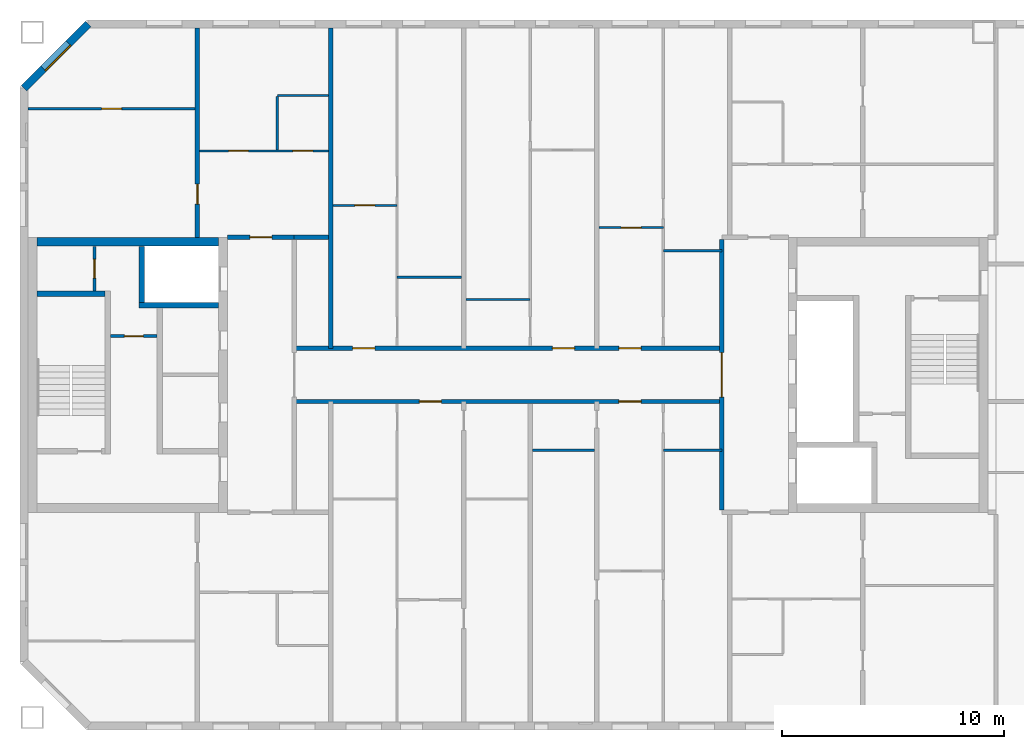
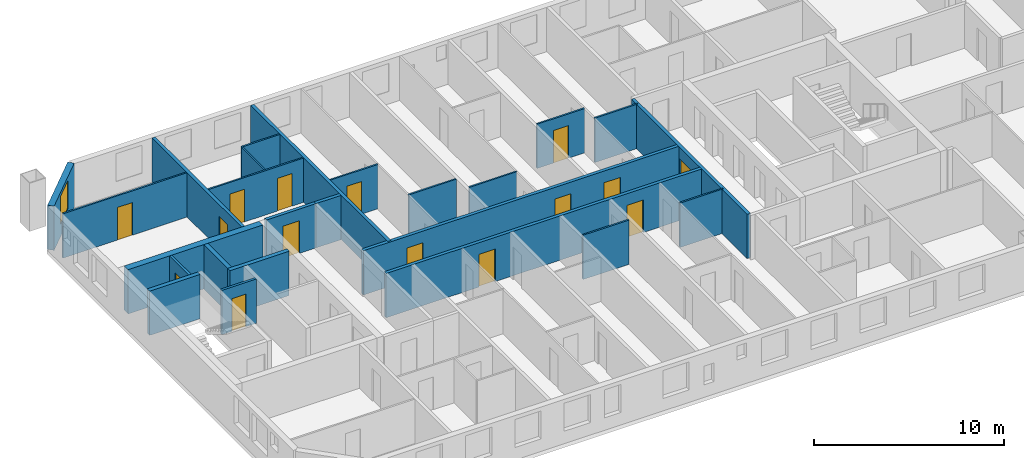
# One storey, part 6 of 19: 25 walls, 15 doors, 1 window, 16 openings.
"""IFC4 building model written with IfcOpenShell, lengths in metres."""

from ifc_helpers import new_model, si_unit, direction, frame, frame_2d, origin, place, context, subcontext, project, spatial, rectangle, extrude, material, layer, layer_set, type_object, element, fill, save


model = new_model("IFC4")

# Units and contexts
model_context = context("Model", 3, precision=1e-05, world=origin(), true_north=direction((0.0, 1.0)))
body_context = subcontext(model_context, "Body", "Model", "MODEL_VIEW")
ifc_project = project(units=[si_unit("LENGTHUNIT", "METRE"), si_unit("AREAUNIT", "SQUARE_METRE"), si_unit("VOLUMEUNIT", "CUBIC_METRE"), si_unit("PLANEANGLEUNIT", "RADIAN"), si_unit("MASSUNIT", "GRAM", prefix="KILO")], contexts=[model_context])

# Site, building, storey
site_placement = place(None, origin())
site = spatial("IfcSite", under=ifc_project, at=site_placement, CompositionType="ELEMENT")
building_placement = place(site_placement, origin())
building = spatial("IfcBuilding", under=site, at=building_placement, Name="Tuart Gate Housing", CompositionType="ELEMENT")
storey_placement = place(building_placement, frame((0.0, 0.0, 230.699951171875)))
storey = spatial("IfcBuildingStorey", under=building, at=storey_placement, Name="L65", CompositionType="ELEMENT", Elevation=230.699951171875)

# Wall, opening, window
ifc_material_1 = material(Name="Brick", Category="masonry")
ifc_layer_1 = layer(ifc_material_1, 0.360107421875)
ifc_layer_set_1 = layer_set([ifc_layer_1], Name="Brick pier and spandrel wall 360")
wall_type_1 = type_object("IfcWallType", Name="Brick pier and spandrel wall 360", PredefinedType="STANDARD", material=ifc_layer_set_1)
wall_1_placement = place(storey_placement, frame((35.07470703125, 85.820068359375, 0.0), z_axis=(0.0, 0.0, 1.0), x_axis=(-0.707106781187, -0.707106781187, 0.0)))
wall_1 = element("IfcWall", 1, at=wall_1_placement, inside=storey, type_object=wall_type_1, Name="External wall BLK-NW L65", PredefinedType="STANDARD", context=body_context, shape_type="SweptSolid", body=[
    extrude(rectangle(XDim=4.09375, YDim=0.360107421875, at=frame_2d((2.046875, 0.0))), origin(), (0.0, 0.0, 1.0), 2.85009765625),
])
opening_1_placement = place(wall_1_placement, frame((1.2470703125, 0.0, 0.800048828125)))
opening_1 = element("IfcOpeningElement", 2, at=opening_1_placement, cuts=wall_1, Name="Opening W1", PredefinedType="OPENING", context=body_context, shape_type="SweptSolid", body=[
    extrude(rectangle(XDim=1.60009765625, YDim=1.800048828125, at=frame_2d((0.800048828125, 0.89990234375))), frame((0.0, 0.18994140625, 0.0), z_axis=(0.0, -1.0, 0.0), x_axis=(1.0, 0.0, 0.0)), (0.0, 0.0, 1.0), 0.380126953125),
])
ifc_material_2 = material(Name="Aluminium frame with clear glass", Category="aluminium")
window_type = type_object("IfcWindowType", Name="Punched window 1600 x 1800", PartitioningType="SINGLE_PANEL", PredefinedType="WINDOW", material=ifc_material_2)
window_placement = place(opening_1_placement, origin())
window = element("IfcWindow", 3, at=window_placement, inside=storey, type_object=window_type, Name="Window W1", OverallHeight=1.800048828125, OverallWidth=1.60009765625, PartitioningType="SINGLE_PANEL", PredefinedType="WINDOW", context=body_context, shape_type="SweptSolid", body=[
    extrude(rectangle(XDim=1.60009765625, YDim=1.800048828125, at=frame_2d((0.800048828125, 0.89990234375))), frame((0.0, 0.150146484375, 0.0), z_axis=(0.0, -1.0, 0.0), x_axis=(1.0, 0.0, 0.0)), (0.0, 0.0, 1.0), 0.06005859375),
])
fill(opening_1, window)

# Wall, opening, door
ifc_material_3 = material(Name="Plasterboard partition")
ifc_layer_2 = layer(ifc_material_3, 0.14990234375)
ifc_layer_set_2 = layer_set([ifc_layer_2], Name="Core partition 150")
wall_type_2 = type_object("IfcWallType", Name="Core partition 150", PredefinedType="PARTITIONING", material=ifc_layer_set_2)
wall_2_placement = place(storey_placement, frame((38.18505859375, 71.75, 0.0), z_axis=(0.0, 0.0, 1.0), x_axis=(-1.0, 0.0, 0.0)))
wall_2 = element("IfcWall", 4, at=wall_2_placement, inside=storey, type_object=wall_type_2, Name="Core partition AK.3", PredefinedType="PARTITIONING", context=body_context, shape_type="SweptSolid", body=[
    extrude(rectangle(XDim=2.10009765625, YDim=0.14990234375, at=frame_2d((1.050048828125, 0.0))), origin(), (0.0, 0.0, 1.0), 2.85009765625),
])
opening_2_placement = place(wall_2_placement, frame((0.625, 0.0, 0.0)))
opening_2 = element("IfcOpeningElement", 5, at=opening_2_placement, cuts=wall_2, Name="Opening D2464", PredefinedType="OPENING", context=body_context, shape_type="SweptSolid", body=[
    extrude(rectangle(XDim=0.85009765625, YDim=2.10009765625, at=frame_2d((0.425048828125, 1.050048828125))), frame((0.0, 0.0849609375, 0.0), z_axis=(0.0, -1.0, 0.0), x_axis=(1.0, 0.0, 0.0)), (0.0, 0.0, 1.0), 0.169921875),
])
ifc_material_4 = material(Name="Steel fire door", Category="steel")
door_type_1 = type_object("IfcDoorType", Name="Riser door 850 x 2100 RH", OperationType="SINGLE_SWING_RIGHT", PredefinedType="DOOR", material=ifc_material_4)
door_1_placement = place(opening_2_placement, frame((0.85009765625, 0.0, 0.0), z_axis=(0.0, 0.0, 1.0), x_axis=(-1.0, 0.0, 0.0)))
door_1 = element("IfcDoor", 6, at=door_1_placement, inside=storey, type_object=door_type_1, Name="Service room door AK.E1", OperationType="SINGLE_SWING_RIGHT", OverallHeight=2.10009765625, OverallWidth=0.85009765625, PredefinedType="DOOR", context=body_context, shape_type="SweptSolid", body=[
    extrude(rectangle(XDim=0.85009765625, YDim=2.10009765625, at=frame_2d((0.425048828125, 1.050048828125))), frame((0.0, 0.025146484375, 0.0), z_axis=(0.0, -1.0, 0.0), x_axis=(1.0, 0.0, 0.0)), (0.0, 0.0, 1.0), 0.050048828125),
])
fill(opening_2, door_1)

wall_3_placement = place(storey_placement, frame((35.360107421875, 75.800048828125, 0.0), z_axis=(0.0, 0.0, 1.0), x_axis=(0.0, -1.0, 0.0)))
wall_3 = element("IfcWall", 7, at=wall_3_placement, inside=storey, type_object=wall_type_2, Name="Core partition AK.10", PredefinedType="PARTITIONING", context=body_context, shape_type="SweptSolid", body=[
    extrude(rectangle(XDim=2.025146484375, YDim=0.14990234375, at=frame_2d((1.0126953125, 0.0))), origin(), (0.0, 0.0, 1.0), 2.85009765625),
])
opening_3_placement = place(wall_3_placement, frame((0.58740234375, 0.0, 0.0)))
opening_3 = element("IfcOpeningElement", 8, at=opening_3_placement, cuts=wall_3, Name="Opening D2462", PredefinedType="OPENING", context=body_context, shape_type="SweptSolid", body=[
    extrude(rectangle(XDim=0.85009765625, YDim=2.10009765625, at=frame_2d((0.425048828125, 1.050048828125))), frame((0.0, 0.0849609375, 0.0), z_axis=(0.0, -1.0, 0.0), x_axis=(1.0, 0.0, 0.0)), (0.0, 0.0, 1.0), 0.169921875),
])
ifc_material_5 = material(Name="Steel fire door", Category="steel")
door_type_2 = type_object("IfcDoorType", Name="Service door 850 x 2100", OperationType="SINGLE_SWING_LEFT", PredefinedType="DOOR", material=ifc_material_5)
door_2_placement = place(opening_3_placement, origin())
door_2 = element("IfcDoor", 9, at=door_2_placement, inside=storey, type_object=door_type_2, Name="Service room door AK.E2", OperationType="SINGLE_SWING_LEFT", OverallHeight=2.10009765625, OverallWidth=0.85009765625, PredefinedType="DOOR", context=body_context, shape_type="SweptSolid", body=[
    extrude(rectangle(XDim=0.85009765625, YDim=2.10009765625, at=frame_2d((0.425048828125, 1.050048828125))), frame((0.0, 0.02490234375, 0.0), z_axis=(0.0, -1.0, 0.0), x_axis=(1.0, 0.0, 0.0)), (0.0, 0.0, 1.0), 0.050048828125),
])
fill(opening_3, door_2)

# Walls
ifc_material_6 = material(Name="Concrete C40", Category="concrete")
ifc_layer_3 = layer(ifc_material_6, 0.25)
ifc_layer_set_3 = layer_set([ifc_layer_3], Name="Core wall 250 C40")
wall_type_3 = type_object("IfcWallType", Name="Core wall 250 C40", PredefinedType="SHEAR", material=ifc_layer_set_3)
wall_4_placement = place(storey_placement, frame((35.8349609375, 73.64990234375, 0.0), z_axis=(0.0, 0.0, 1.0), x_axis=(-1.0, 0.0, 0.0)))
element("IfcWall", 10, at=wall_4_placement, inside=storey, type_object=wall_type_3, Name="Core wall AK.1", PredefinedType="SHEAR", context=body_context, shape_type="SweptSolid", body=[
    extrude(rectangle(XDim=3.074951171875, YDim=0.25, at=frame_2d((1.53759765625, 0.0))), origin(), (0.0, 0.0, 1.0), 2.85009765625),
])
wall_5_placement = place(storey_placement, frame((40.9599609375, 73.14990234375, 0.0), z_axis=(0.0, 0.0, 1.0), x_axis=(-1.0, 0.0, 0.0)))
element("IfcWall", 11, at=wall_5_placement, inside=storey, type_object=wall_type_3, Name="Core wall AK.2", PredefinedType="SHEAR", context=body_context, shape_type="SweptSolid", body=[
    extrude(rectangle(XDim=3.594970703125, YDim=0.25, at=frame_2d((1.79736328125, 0.0))), origin(), (0.0, 0.0, 1.0), 2.85009765625),
])
wall_6_placement = place(storey_placement, frame((37.489990234375, 75.800048828125, 0.0), z_axis=(0.0, 0.0, 1.0), x_axis=(0.0, -1.0, 0.0)))
element("IfcWall", 12, at=wall_6_placement, inside=storey, type_object=wall_type_3, Name="Core wall AK.8", PredefinedType="SHEAR", context=body_context, shape_type="SweptSolid", body=[
    extrude(rectangle(XDim=2.525146484375, YDim=0.25, at=frame_2d((1.2626953125, 0.0))), origin(), (0.0, 0.0, 1.0), 2.85009765625),
])
ifc_material_7 = material(Name="Concrete C40", Category="concrete")
ifc_layer_4 = layer(ifc_material_7, 0.39990234375)
ifc_layer_set_4 = layer_set([ifc_layer_4], Name="Core wall 400 C40")
wall_type_4 = type_object("IfcWallType", Name="Core wall 400 C40", PredefinedType="SHEAR", material=ifc_layer_set_4)
wall_7_placement = place(storey_placement, frame((40.9599609375, 76.0, 0.0), z_axis=(0.0, 0.0, 1.0), x_axis=(-1.0, 0.0, 0.0)))
element("IfcWall", 13, at=wall_7_placement, inside=storey, type_object=wall_type_4, Name="Core wall AK south", PredefinedType="SHEAR", context=body_context, shape_type="SweptSolid", body=[
    extrude(rectangle(XDim=8.199951171875, YDim=0.39990234375, at=frame_2d((4.10009765625, 0.0))), origin(), (0.0, 0.0, 1.0), 2.85009765625),
])

# Wall, openings, doors
ifc_material_8 = material(Name="Concrete masonry 15 MPa", Category="masonry")
ifc_layer_5 = layer(ifc_material_8, 0.199951171875)
ifc_layer_set_5 = layer_set([ifc_layer_5], Name="Corridor wall masonry 200")
wall_type_5 = type_object("IfcWallType", Name="Corridor wall masonry 200", PredefinedType="PARTITIONING", material=ifc_layer_set_5)
wall_8_placement = place(storey_placement, frame((44.360107421875, 68.800048828125, 0.0), z_axis=(0.0, 0.0, 1.0), x_axis=(1.0, 0.0, 0.0)))
wall_8 = element("IfcWall", 14, at=wall_8_placement, inside=storey, type_object=wall_type_5, Name="Corridor wall masonry 200", PredefinedType="PARTITIONING", context=body_context, shape_type="SweptSolid", body=[
    extrude(rectangle(XDim=19.27978515625, YDim=0.199951171875, at=frame_2d((9.639892578125, 0.0))), origin(), (0.0, 0.0, 1.0), 2.85009765625),
])
opening_4_placement = place(wall_8_placement, frame((14.639892578125, 0.0, 0.0)))
opening_4 = element("IfcOpeningElement", 15, at=opening_4_placement, cuts=wall_8, Name="Opening D2475", PredefinedType="OPENING", context=body_context, shape_type="SweptSolid", body=[
    extrude(rectangle(XDim=1.0, YDim=2.10009765625, at=frame_2d((0.5, 1.050048828125))), frame((0.0, 0.10986328125, 0.0), z_axis=(0.0, -1.0, 0.0), x_axis=(1.0, 0.0, 0.0)), (0.0, 0.0, 1.0), 0.219970703125),
])
opening_5_placement = place(wall_8_placement, frame((5.639892578125, 0.0, 0.0)))
opening_5 = element("IfcOpeningElement", 16, at=opening_5_placement, cuts=wall_8, Name="Opening D2476", PredefinedType="OPENING", context=body_context, shape_type="SweptSolid", body=[
    extrude(rectangle(XDim=1.0, YDim=2.10009765625, at=frame_2d((0.5, 1.050048828125))), frame((0.0, 0.10986328125, 0.0), z_axis=(0.0, -1.0, 0.0), x_axis=(1.0, 0.0, 0.0)), (0.0, 0.0, 1.0), 0.219970703125),
])
ifc_material_9 = material(Name="Timber door leaf in steel frame", Category="steel")
door_type_3 = type_object("IfcDoorType", Name="Flat entrance door 1000 RH", OperationType="SINGLE_SWING_RIGHT", PredefinedType="DOOR", material=ifc_material_9)
door_3_placement = place(opening_4_placement, frame((1.0, 0.0, 0.0), z_axis=(0.0, 0.0, 1.0), x_axis=(-1.0, 0.0, 0.0)))
door_3 = element("IfcDoor", 17, at=door_3_placement, inside=storey, type_object=door_type_3, Name="Flat entrance door", OperationType="SINGLE_SWING_RIGHT", OverallHeight=2.10009765625, OverallWidth=1.0, PredefinedType="DOOR", context=body_context, shape_type="SweptSolid", body=[
    extrude(rectangle(XDim=1.0, YDim=2.10009765625, at=frame_2d((0.5, 1.050048828125))), frame((0.0, 0.025146484375, 0.0), z_axis=(0.0, -1.0, 0.0), x_axis=(1.0, 0.0, 0.0)), (0.0, 0.0, 1.0), 0.050048828125),
])
fill(opening_4, door_3)
door_4_placement = place(opening_5_placement, frame((1.0, 0.0, 0.0), z_axis=(0.0, 0.0, 1.0), x_axis=(-1.0, 0.0, 0.0)))
door_4 = element("IfcDoor", 18, at=door_4_placement, inside=storey, type_object=door_type_3, Name="Flat entrance door", OperationType="SINGLE_SWING_RIGHT", OverallHeight=2.10009765625, OverallWidth=1.0, PredefinedType="DOOR", context=body_context, shape_type="SweptSolid", body=[
    extrude(rectangle(XDim=1.0, YDim=2.10009765625, at=frame_2d((0.5, 1.050048828125))), frame((0.0, 0.025146484375, 0.0), z_axis=(0.0, -1.0, 0.0), x_axis=(1.0, 0.0, 0.0)), (0.0, 0.0, 1.0), 0.050048828125),
])
fill(opening_5, door_4)

wall_9_placement = place(storey_placement, frame((44.360107421875, 71.199951171875, 0.0), z_axis=(0.0, 0.0, 1.0), x_axis=(1.0, 0.0, 0.0)))
wall_9 = element("IfcWall", 19, at=wall_9_placement, inside=storey, type_object=wall_type_5, Name="Corridor wall masonry 200", PredefinedType="PARTITIONING", context=body_context, shape_type="SweptSolid", body=[
    extrude(rectangle(XDim=19.27978515625, YDim=0.199951171875, at=frame_2d((9.639892578125, 0.0))), origin(), (0.0, 0.0, 1.0), 2.85009765625),
])
opening_6_placement = place(wall_9_placement, frame((14.639892578125, 0.0, 0.0)))
opening_6 = element("IfcOpeningElement", 20, at=opening_6_placement, cuts=wall_9, Name="Opening D2465", PredefinedType="OPENING", context=body_context, shape_type="SweptSolid", body=[
    extrude(rectangle(XDim=1.0, YDim=2.10009765625, at=frame_2d((0.5, 1.050048828125))), frame((0.0, 0.10986328125, 0.0), z_axis=(0.0, -1.0, 0.0), x_axis=(1.0, 0.0, 0.0)), (0.0, 0.0, 1.0), 0.219970703125),
])
opening_7_placement = place(wall_9_placement, frame((11.639892578125, 0.0, 0.0)))
opening_7 = element("IfcOpeningElement", 21, at=opening_7_placement, cuts=wall_9, Name="Opening D2466", PredefinedType="OPENING", context=body_context, shape_type="SweptSolid", body=[
    extrude(rectangle(XDim=1.0, YDim=2.10009765625, at=frame_2d((0.5, 1.050048828125))), frame((0.0, 0.10986328125, 0.0), z_axis=(0.0, -1.0, 0.0), x_axis=(1.0, 0.0, 0.0)), (0.0, 0.0, 1.0), 0.219970703125),
])
opening_8_placement = place(wall_9_placement, frame((2.639892578125, 0.0, 0.0)))
opening_8 = element("IfcOpeningElement", 22, at=opening_8_placement, cuts=wall_9, Name="Opening D2467", PredefinedType="OPENING", context=body_context, shape_type="SweptSolid", body=[
    extrude(rectangle(XDim=1.0, YDim=2.10009765625, at=frame_2d((0.5, 1.050048828125))), frame((0.0, 0.10986328125, 0.0), z_axis=(0.0, -1.0, 0.0), x_axis=(1.0, 0.0, 0.0)), (0.0, 0.0, 1.0), 0.219970703125),
])
ifc_material_10 = material(Name="Timber door leaf in steel frame", Category="steel")
door_type_4 = type_object("IfcDoorType", Name="Flat entrance door 1000", OperationType="SINGLE_SWING_LEFT", PredefinedType="DOOR", material=ifc_material_10)
door_5_placement = place(opening_6_placement, origin())
door_5 = element("IfcDoor", 23, at=door_5_placement, inside=storey, type_object=door_type_4, Name="Flat entrance door", OperationType="SINGLE_SWING_LEFT", OverallHeight=2.10009765625, OverallWidth=1.0, PredefinedType="DOOR", context=body_context, shape_type="SweptSolid", body=[
    extrude(rectangle(XDim=1.0, YDim=2.10009765625, at=frame_2d((0.5, 1.050048828125))), frame((0.0, 0.02490234375, 0.0), z_axis=(0.0, -1.0, 0.0), x_axis=(1.0, 0.0, 0.0)), (0.0, 0.0, 1.0), 0.050048828125),
])
fill(opening_6, door_5)
door_6_placement = place(opening_7_placement, origin())
door_6 = element("IfcDoor", 24, at=door_6_placement, inside=storey, type_object=door_type_4, Name="Flat entrance door", OperationType="SINGLE_SWING_LEFT", OverallHeight=2.10009765625, OverallWidth=1.0, PredefinedType="DOOR", context=body_context, shape_type="SweptSolid", body=[
    extrude(rectangle(XDim=1.0, YDim=2.10009765625, at=frame_2d((0.5, 1.050048828125))), frame((0.0, 0.02490234375, 0.0), z_axis=(0.0, -1.0, 0.0), x_axis=(1.0, 0.0, 0.0)), (0.0, 0.0, 1.0), 0.050048828125),
])
fill(opening_7, door_6)
door_7_placement = place(opening_8_placement, origin())
door_7 = element("IfcDoor", 25, at=door_7_placement, inside=storey, type_object=door_type_4, Name="Flat entrance door", OperationType="SINGLE_SWING_LEFT", OverallHeight=2.10009765625, OverallWidth=1.0, PredefinedType="DOOR", context=body_context, shape_type="SweptSolid", body=[
    extrude(rectangle(XDim=1.0, YDim=2.10009765625, at=frame_2d((0.5, 1.050048828125))), frame((0.0, 0.02490234375, 0.0), z_axis=(0.0, -1.0, 0.0), x_axis=(1.0, 0.0, 0.0)), (0.0, 0.0, 1.0), 0.050048828125),
])
fill(opening_8, door_7)

# Wall, opening, door
ifc_material_11 = material(Name="Concrete masonry 15 MPa", Category="masonry")
ifc_layer_6 = layer(ifc_material_11, 0.199951171875)
ifc_layer_set_6 = layer_set([ifc_layer_6], Name="Enclosure wall masonry 200")
wall_type_6 = type_object("IfcWallType", Name="Enclosure wall masonry 200", PredefinedType="PARTITIONING", material=ifc_layer_set_6)
wall_10_placement = place(storey_placement, frame((41.360107421875, 76.199951171875, 0.0), z_axis=(0.0, 0.0, 1.0), x_axis=(1.0, 0.0, 0.0)))
wall_10 = element("IfcWall", 26, at=wall_10_placement, inside=storey, type_object=wall_type_6, Name="Enclosure wall masonry 200", PredefinedType="PARTITIONING", context=body_context, shape_type="SweptSolid", body=[
    extrude(rectangle(XDim=3.0, YDim=0.199951171875, at=frame_2d((1.5, 0.0))), origin(), (0.0, 0.0, 1.0), 2.85009765625),
])
opening_9_placement = place(wall_10_placement, frame((1.0, 0.0, 0.0)))
opening_9 = element("IfcOpeningElement", 27, at=opening_9_placement, cuts=wall_10, Name="Opening D2460", PredefinedType="OPENING", context=body_context, shape_type="SweptSolid", body=[
    extrude(rectangle(XDim=1.0, YDim=2.10009765625, at=frame_2d((0.5, 1.050048828125))), frame((0.0, 0.10986328125, 0.0), z_axis=(0.0, -1.0, 0.0), x_axis=(1.0, 0.0, 0.0)), (0.0, 0.0, 1.0), 0.219970703125),
])
door_8_placement = place(opening_9_placement, origin())
door_8 = element("IfcDoor", 28, at=door_8_placement, inside=storey, type_object=door_type_4, Name="Flat entrance door", OperationType="SINGLE_SWING_LEFT", OverallHeight=2.10009765625, OverallWidth=1.0, PredefinedType="DOOR", context=body_context, shape_type="SweptSolid", body=[
    extrude(rectangle(XDim=1.0, YDim=2.10009765625, at=frame_2d((0.5, 1.050048828125))), frame((0.0, 0.02490234375, 0.0), z_axis=(0.0, -1.0, 0.0), x_axis=(1.0, 0.0, 0.0)), (0.0, 0.0, 1.0), 0.050048828125),
])
fill(opening_9, door_8)

ifc_material_12 = material(Name="Plasterboard partition")
ifc_layer_7 = layer(ifc_material_12, 0.199951171875)
ifc_layer_set_7 = layer_set([ifc_layer_7], Name="Lobby wall 200")
wall_type_7 = type_object("IfcWallType", Name="Lobby wall 200", PredefinedType="PARTITIONING", material=ifc_layer_set_7)
wall_11_placement = place(storey_placement, frame((63.639892578125, 63.89990234375, 0.0), z_axis=(0.0, 0.0, 1.0), x_axis=(0.0, 1.0, 0.0)))
wall_11 = element("IfcWall", 29, at=wall_11_placement, inside=storey, type_object=wall_type_7, Name="Lift lobby wall AG", PredefinedType="PARTITIONING", context=body_context, shape_type="SweptSolid", body=[
    extrude(rectangle(XDim=12.2001953125, YDim=0.199951171875, at=frame_2d((6.10009765625, 0.0))), origin(), (0.0, 0.0, 1.0), 2.85009765625),
])
opening_10_placement = place(wall_11_placement, frame((5.10009765625, 0.0, 0.0)))
opening_10 = element("IfcOpeningElement", 30, at=opening_10_placement, cuts=wall_11, Name="Opening D2472", PredefinedType="OPENING", context=body_context, shape_type="SweptSolid", body=[
    extrude(rectangle(XDim=2.0, YDim=2.10009765625, at=frame_2d((1.0, 1.050048828125))), frame((0.0, 0.10986328125, 0.0), z_axis=(0.0, -1.0, 0.0), x_axis=(1.0, 0.0, 0.0)), (0.0, 0.0, 1.0), 0.219970703125),
])
ifc_material_13 = material(Name="Steel fire door", Category="steel")
door_type_5 = type_object("IfcDoorType", Name="Smoke door 2000 x 2100", OperationType="DOUBLE_DOOR_SINGLE_SWING", PredefinedType="DOOR", material=ifc_material_13)
door_9_placement = place(opening_10_placement, frame((2.0, 0.0, 0.0), z_axis=(0.0, 0.0, 1.0), x_axis=(-1.0, 0.0, 0.0)))
door_9 = element("IfcDoor", 31, at=door_9_placement, inside=storey, type_object=door_type_5, Name="Lift lobby smoke door AG", OperationType="DOUBLE_DOOR_SINGLE_SWING", OverallHeight=2.10009765625, OverallWidth=2.0, PredefinedType="DOOR", context=body_context, shape_type="SweptSolid", body=[
    extrude(rectangle(XDim=2.0, YDim=2.10009765625, at=frame_2d((1.0, 1.050048828125))), frame((0.0, 0.025146484375, 0.0), z_axis=(0.0, -1.0, 0.0), x_axis=(1.0, 0.0, 0.0)), (0.0, 0.0, 1.0), 0.050048828125),
])
fill(opening_10, door_9)

# Walls
ifc_material_14 = material(Name="Gypsum board on steel studs", Category="steel")
ifc_layer_8 = layer(ifc_material_14, 0.10009765625)
ifc_layer_set_8 = layer_set([ifc_layer_8], Name="Partition 100")
wall_type_8 = type_object("IfcWallType", Name="Partition 100", PredefinedType="PARTITIONING", material=ifc_layer_set_8)
wall_12_placement = place(storey_placement, frame((55.10009765625, 66.60009765625, 0.0), z_axis=(0.0, 0.0, 1.0), x_axis=(1.0, 0.0, 0.0)))
element("IfcWall", 32, at=wall_12_placement, inside=storey, type_object=wall_type_8, Name="Partition 100", PredefinedType="PARTITIONING", context=body_context, shape_type="SweptSolid", body=[
    extrude(rectangle(XDim=2.7998046875, YDim=0.10009765625, at=frame_2d((1.39990234375, 0.0))), origin(), (0.0, 0.0, 1.0), 2.85009765625),
])
wall_13_placement = place(storey_placement, frame((61.0, 66.60009765625, 0.0), z_axis=(0.0, 0.0, 1.0), x_axis=(1.0, 0.0, 0.0)))
element("IfcWall", 33, at=wall_13_placement, inside=storey, type_object=wall_type_8, Name="Partition 100", PredefinedType="PARTITIONING", context=body_context, shape_type="SweptSolid", body=[
    extrude(rectangle(XDim=2.639892578125, YDim=0.10009765625, at=frame_2d((1.31982421875, 0.0))), origin(), (0.0, 0.0, 1.0), 2.85009765625),
])
for number, where, z_axis, x_axis, name in (
    (34, (52.10009765625, 73.39990234375, 0.0), (0.0, 0.0, 1.0), (1.0, 0.0, 0.0), "Partition 100"),
    (35, (49.0, 74.39990234375, 0.0), (0.0, 0.0, 1.0), (1.0, 0.0, 0.0), "Partition 100"),
):
    element("IfcWall", number, at=place(storey_placement, frame(where, z_axis=z_axis, x_axis=x_axis)), inside=storey, type_object=wall_type_8, Name=name, PredefinedType="PARTITIONING", context=body_context, shape_type="SweptSolid", body=[
        extrude(rectangle(XDim=2.89990234375, YDim=0.10009765625, at=frame_2d((1.449951171875, 0.0))), origin(), (0.0, 0.0, 1.0), 2.85009765625),
    ])
wall_14_placement = place(storey_placement, frame((61.0, 75.60009765625, 0.0), z_axis=(0.0, 0.0, 1.0), x_axis=(1.0, 0.0, 0.0)))
element("IfcWall", 36, at=wall_14_placement, inside=storey, type_object=wall_type_8, Name="Partition 100", PredefinedType="PARTITIONING", context=body_context, shape_type="SweptSolid", body=[
    extrude(rectangle(XDim=2.639892578125, YDim=0.10009765625, at=frame_2d((1.31982421875, 0.0))), origin(), (0.0, 0.0, 1.0), 2.85009765625),
])

# Wall, opening, door
wall_15_placement = place(storey_placement, frame((58.10009765625, 76.639892578125, 0.0), z_axis=(0.0, 0.0, 1.0), x_axis=(1.0, 0.0, 0.0)))
wall_15 = element("IfcWall", 37, at=wall_15_placement, inside=storey, type_object=wall_type_8, Name="Partition 100", PredefinedType="PARTITIONING", context=body_context, shape_type="SweptSolid", body=[
    extrude(rectangle(XDim=2.89990234375, YDim=0.10009765625, at=frame_2d((1.449951171875, 0.0))), origin(), (0.0, 0.0, 1.0), 2.85009765625),
])
opening_11_placement = place(wall_15_placement, frame((1.0, 0.0, 0.0)))
opening_11 = element("IfcOpeningElement", 38, at=opening_11_placement, cuts=wall_15, Name="Opening D2459", PredefinedType="OPENING", context=body_context, shape_type="SweptSolid", body=[
    extrude(rectangle(XDim=0.89990234375, YDim=2.10009765625, at=frame_2d((0.449951171875, 1.050048828125))), frame((0.0, 0.06005859375, 0.0), z_axis=(0.0, -1.0, 0.0), x_axis=(1.0, 0.0, 0.0)), (0.0, 0.0, 1.0), 0.1201171875),
])
ifc_material_15 = material(Name="Timber door leaf in steel frame", Category="steel")
door_type_6 = type_object("IfcDoorType", Name="Internal door 900", OperationType="SINGLE_SWING_LEFT", PredefinedType="DOOR", material=ifc_material_15)
door_10_placement = place(opening_11_placement, frame((0.89990234375, 0.0, 0.0), z_axis=(0.0, 0.0, 1.0), x_axis=(-1.0, 0.0, 0.0)))
door_10 = element("IfcDoor", 39, at=door_10_placement, inside=storey, type_object=door_type_6, Name="Internal door", OperationType="SINGLE_SWING_LEFT", OverallHeight=2.10009765625, OverallWidth=0.89990234375, PredefinedType="DOOR", context=body_context, shape_type="SweptSolid", body=[
    extrude(rectangle(XDim=0.89990234375, YDim=2.10009765625, at=frame_2d((0.449951171875, 1.050048828125))), frame((0.0, 0.025146484375, 0.0), z_axis=(0.0, -1.0, 0.0), x_axis=(1.0, 0.0, 0.0)), (0.0, 0.0, 1.0), 0.050048828125),
])
fill(opening_11, door_10)

wall_16_placement = place(storey_placement, frame((46.10009765625, 77.639892578125, 0.0), z_axis=(0.0, 0.0, 1.0), x_axis=(1.0, 0.0, 0.0)))
wall_16 = element("IfcWall", 40, at=wall_16_placement, inside=storey, type_object=wall_type_8, Name="Partition 100", PredefinedType="PARTITIONING", context=body_context, shape_type="SweptSolid", body=[
    extrude(rectangle(XDim=2.89990234375, YDim=0.10009765625, at=frame_2d((1.449951171875, 0.0))), origin(), (0.0, 0.0, 1.0), 2.85009765625),
])
opening_12_placement = place(wall_16_placement, frame((1.0, 0.0, 0.0)))
opening_12 = element("IfcOpeningElement", 41, at=opening_12_placement, cuts=wall_16, Name="Opening D2458", PredefinedType="OPENING", context=body_context, shape_type="SweptSolid", body=[
    extrude(rectangle(XDim=0.89990234375, YDim=2.10009765625, at=frame_2d((0.449951171875, 1.050048828125))), frame((0.0, 0.06005859375, 0.0), z_axis=(0.0, -1.0, 0.0), x_axis=(1.0, 0.0, 0.0)), (0.0, 0.0, 1.0), 0.1201171875),
])
door_11_placement = place(opening_12_placement, frame((0.89990234375, 0.0, 0.0), z_axis=(0.0, 0.0, 1.0), x_axis=(-1.0, 0.0, 0.0)))
door_11 = element("IfcDoor", 42, at=door_11_placement, inside=storey, type_object=door_type_6, Name="Internal door", OperationType="SINGLE_SWING_LEFT", OverallHeight=2.10009765625, OverallWidth=0.89990234375, PredefinedType="DOOR", context=body_context, shape_type="SweptSolid", body=[
    extrude(rectangle(XDim=0.89990234375, YDim=2.10009765625, at=frame_2d((0.449951171875, 1.050048828125))), frame((0.0, 0.025146484375, 0.0), z_axis=(0.0, -1.0, 0.0), x_axis=(1.0, 0.0, 0.0)), (0.0, 0.0, 1.0), 0.050048828125),
])
fill(opening_12, door_11)

# Wall, openings, doors
wall_17_placement = place(storey_placement, frame((40.10009765625, 80.10009765625, 0.0), z_axis=(0.0, 0.0, 1.0), x_axis=(1.0, 0.0, 0.0)))
wall_17 = element("IfcWall", 43, at=wall_17_placement, inside=storey, type_object=wall_type_8, Name="Partition 100", PredefinedType="PARTITIONING", context=body_context, shape_type="SweptSolid", body=[
    extrude(rectangle(XDim=5.7998046875, YDim=0.10009765625, at=frame_2d((2.89990234375, 0.0))), origin(), (0.0, 0.0, 1.0), 2.85009765625),
])
opening_13_placement = place(wall_17_placement, frame((1.300048828125, 0.0, 0.0)))
opening_13 = element("IfcOpeningElement", 44, at=opening_13_placement, cuts=wall_17, Name="Opening D2449", PredefinedType="OPENING", context=body_context, shape_type="SweptSolid", body=[
    extrude(rectangle(XDim=0.89990234375, YDim=2.10009765625, at=frame_2d((0.449951171875, 1.050048828125))), frame((0.0, 0.06005859375, 0.0), z_axis=(0.0, -1.0, 0.0), x_axis=(1.0, 0.0, 0.0)), (0.0, 0.0, 1.0), 0.1201171875),
])
opening_14_placement = place(wall_17_placement, frame((4.199951171875, 0.0, 0.0)))
opening_14 = element("IfcOpeningElement", 45, at=opening_14_placement, cuts=wall_17, Name="Opening D2448", PredefinedType="OPENING", context=body_context, shape_type="SweptSolid", body=[
    extrude(rectangle(XDim=0.89990234375, YDim=2.10009765625, at=frame_2d((0.449951171875, 1.050048828125))), frame((0.0, 0.06005859375, 0.0), z_axis=(0.0, -1.0, 0.0), x_axis=(1.0, 0.0, 0.0)), (0.0, 0.0, 1.0), 0.1201171875),
])
ifc_material_16 = material(Name="Timber door leaf in steel frame", Category="steel")
door_type_7 = type_object("IfcDoorType", Name="Bathroom door 900", OperationType="SINGLE_SWING_LEFT", PredefinedType="DOOR", material=ifc_material_16)
door_12_placement = place(opening_14_placement, origin())
door_12 = element("IfcDoor", 46, at=door_12_placement, inside=storey, type_object=door_type_7, Name="Bathroom door", OperationType="SINGLE_SWING_LEFT", OverallHeight=2.10009765625, OverallWidth=0.89990234375, PredefinedType="DOOR", context=body_context, shape_type="SweptSolid", body=[
    extrude(rectangle(XDim=0.89990234375, YDim=2.10009765625, at=frame_2d((0.449951171875, 1.050048828125))), frame((0.0, 0.02490234375, 0.0), z_axis=(0.0, -1.0, 0.0), x_axis=(1.0, 0.0, 0.0)), (0.0, 0.0, 1.0), 0.050048828125),
])
fill(opening_14, door_12)
ifc_material_17 = material(Name="Timber door leaf in steel frame", Category="steel")
door_type_8 = type_object("IfcDoorType", Name="Internal door 900 RH", OperationType="SINGLE_SWING_RIGHT", PredefinedType="DOOR", material=ifc_material_17)
door_13_placement = place(opening_13_placement, origin())
door_13 = element("IfcDoor", 47, at=door_13_placement, inside=storey, type_object=door_type_8, Name="Internal door", OperationType="SINGLE_SWING_RIGHT", OverallHeight=2.10009765625, OverallWidth=0.89990234375, PredefinedType="DOOR", context=body_context, shape_type="SweptSolid", body=[
    extrude(rectangle(XDim=0.89990234375, YDim=2.10009765625, at=frame_2d((0.449951171875, 1.050048828125))), frame((0.0, 0.02490234375, 0.0), z_axis=(0.0, -1.0, 0.0), x_axis=(1.0, 0.0, 0.0)), (0.0, 0.0, 1.0), 0.050048828125),
])
fill(opening_13, door_13)

# Wall, opening, door
wall_18_placement = place(storey_placement, frame((32.360107421875, 82.0, 0.0), z_axis=(0.0, 0.0, 1.0), x_axis=(1.0, 0.0, 0.0)))
wall_18 = element("IfcWall", 48, at=wall_18_placement, inside=storey, type_object=wall_type_8, Name="Partition 100", PredefinedType="PARTITIONING", context=body_context, shape_type="SweptSolid", body=[
    extrude(rectangle(XDim=7.539794921875, YDim=0.10009765625, at=frame_2d((3.77001953125, 0.0))), origin(), (0.0, 0.0, 1.0), 2.85009765625),
])
opening_15_placement = place(wall_18_placement, frame((3.320068359375, 0.0, 0.0)))
opening_15 = element("IfcOpeningElement", 49, at=opening_15_placement, cuts=wall_18, Name="Opening D2443", PredefinedType="OPENING", context=body_context, shape_type="SweptSolid", body=[
    extrude(rectangle(XDim=0.89990234375, YDim=2.10009765625, at=frame_2d((0.449951171875, 1.050048828125))), frame((0.0, 0.06005859375, 0.0), z_axis=(0.0, -1.0, 0.0), x_axis=(1.0, 0.0, 0.0)), (0.0, 0.0, 1.0), 0.1201171875),
])
door_14_placement = place(opening_15_placement, origin())
door_14 = element("IfcDoor", 50, at=door_14_placement, inside=storey, type_object=door_type_6, Name="Internal door", OperationType="SINGLE_SWING_LEFT", OverallHeight=2.10009765625, OverallWidth=0.89990234375, PredefinedType="DOOR", context=body_context, shape_type="SweptSolid", body=[
    extrude(rectangle(XDim=0.89990234375, YDim=2.10009765625, at=frame_2d((0.449951171875, 1.050048828125))), frame((0.0, 0.02490234375, 0.0), z_axis=(0.0, -1.0, 0.0), x_axis=(1.0, 0.0, 0.0)), (0.0, 0.0, 1.0), 0.050048828125),
])
fill(opening_15, door_14)

# Walls
wall_19_placement = place(storey_placement, frame((43.60009765625, 82.60009765625, 0.0), z_axis=(0.0, 0.0, 1.0), x_axis=(1.0, 0.0, 0.0)))
element("IfcWall", 51, at=wall_19_placement, inside=storey, type_object=wall_type_8, Name="Partition 100", PredefinedType="PARTITIONING", context=body_context, shape_type="SweptSolid", body=[
    extrude(rectangle(XDim=2.2998046875, YDim=0.10009765625, at=frame_2d((1.14990234375, 0.0))), origin(), (0.0, 0.0, 1.0), 2.85009765625),
])
wall_20_placement = place(storey_placement, frame((43.60009765625, 80.14990234375, 0.0), z_axis=(0.0, 0.0, 1.0), x_axis=(0.0, 1.0, 0.0)))
element("IfcWall", 52, at=wall_20_placement, inside=storey, type_object=wall_type_8, Name="Partition 100", PredefinedType="PARTITIONING", context=body_context, shape_type="SweptSolid", body=[
    extrude(rectangle(XDim=2.400146484375, YDim=0.10009765625, at=frame_2d((1.2001953125, 0.0))), origin(), (0.0, 0.0, 1.0), 2.85009765625),
])

# Wall, opening, door
ifc_material_18 = material(Name="Concrete C40", Category="concrete")
ifc_layer_9 = layer(ifc_material_18, 0.199951171875)
ifc_layer_set_9 = layer_set([ifc_layer_9], Name="Party wall concrete C40 200")
wall_type_9 = type_object("IfcWallType", Name="Party wall concrete C40 200", PredefinedType="SOLIDWALL", material=ifc_layer_set_9)
wall_21_placement = place(storey_placement, frame((40.0, 76.199951171875, 0.0), z_axis=(0.0, 0.0, 1.0), x_axis=(0.0, 1.0, 0.0)))
wall_21 = element("IfcWall", 53, at=wall_21_placement, inside=storey, type_object=wall_type_9, Name="Party wall concrete C40 200", PredefinedType="SOLIDWALL", context=body_context, shape_type="SweptSolid", body=[
    extrude(rectangle(XDim=9.43994140625, YDim=0.199951171875, at=frame_2d((4.719970703125, 0.0))), origin(), (0.0, 0.0, 1.0), 2.85009765625),
])
opening_16_placement = place(wall_21_placement, frame((1.5, 0.0, 0.0)))
opening_16 = element("IfcOpeningElement", 54, at=opening_16_placement, cuts=wall_21, Name="Opening D2444", PredefinedType="OPENING", context=body_context, shape_type="SweptSolid", body=[
    extrude(rectangle(XDim=0.89990234375, YDim=2.10009765625, at=frame_2d((0.449951171875, 1.050048828125))), frame((0.0, 0.10986328125, 0.0), z_axis=(0.0, -1.0, 0.0), x_axis=(1.0, 0.0, 0.0)), (0.0, 0.0, 1.0), 0.219970703125),
])
door_15_placement = place(opening_16_placement, frame((0.89990234375, 0.0, 0.0), z_axis=(0.0, 0.0, 1.0), x_axis=(-1.0, 0.0, 0.0)))
door_15 = element("IfcDoor", 55, at=door_15_placement, inside=storey, type_object=door_type_8, Name="Internal door", OperationType="SINGLE_SWING_RIGHT", OverallHeight=2.10009765625, OverallWidth=0.89990234375, PredefinedType="DOOR", context=body_context, shape_type="SweptSolid", body=[
    extrude(rectangle(XDim=0.89990234375, YDim=2.10009765625, at=frame_2d((0.449951171875, 1.050048828125))), frame((0.0, 0.025146484375, 0.0), z_axis=(0.0, -1.0, 0.0), x_axis=(1.0, 0.0, 0.0)), (0.0, 0.0, 1.0), 0.050048828125),
])
fill(opening_16, door_15)

# Walls
wall_22_placement = place(storey_placement, frame((46.0, 71.199951171875, 0.0), z_axis=(0.0, 0.0, 1.0), x_axis=(0.0, 1.0, 0.0)))
element("IfcWall", 56, at=wall_22_placement, inside=storey, type_object=wall_type_9, Name="Party wall concrete C40 200", PredefinedType="SOLIDWALL", context=body_context, shape_type="SweptSolid", body=[
    extrude(rectangle(XDim=14.43994140625, YDim=0.199951171875, at=frame_2d((7.219970703125, 0.0))), origin(), (0.0, 0.0, 1.0), 2.85009765625),
])
ifc_material_19 = material(Name="Concrete masonry 15 MPa", Category="masonry")
ifc_layer_10 = layer(ifc_material_19, 0.199951171875)
ifc_layer_set_10 = layer_set([ifc_layer_10], Name="Party wall masonry 200")
wall_type_10 = type_object("IfcWallType", Name="Party wall masonry 200", PredefinedType="PARTITIONING", material=ifc_layer_set_10)
wall_23_placement = place(storey_placement, frame((44.360107421875, 76.199951171875, 0.0), z_axis=(0.0, 0.0, 1.0), x_axis=(1.0, 0.0, 0.0)))
element("IfcWall", 57, at=wall_23_placement, inside=storey, type_object=wall_type_10, Name="Party wall masonry 200", PredefinedType="PARTITIONING", context=body_context, shape_type="SweptSolid", body=[
    extrude(rectangle(XDim=1.539794921875, YDim=0.199951171875, at=frame_2d((0.77001953125, 0.0))), origin(), (0.0, 0.0, 1.0), 2.85009765625),
])

save(model, "model.ifc")
